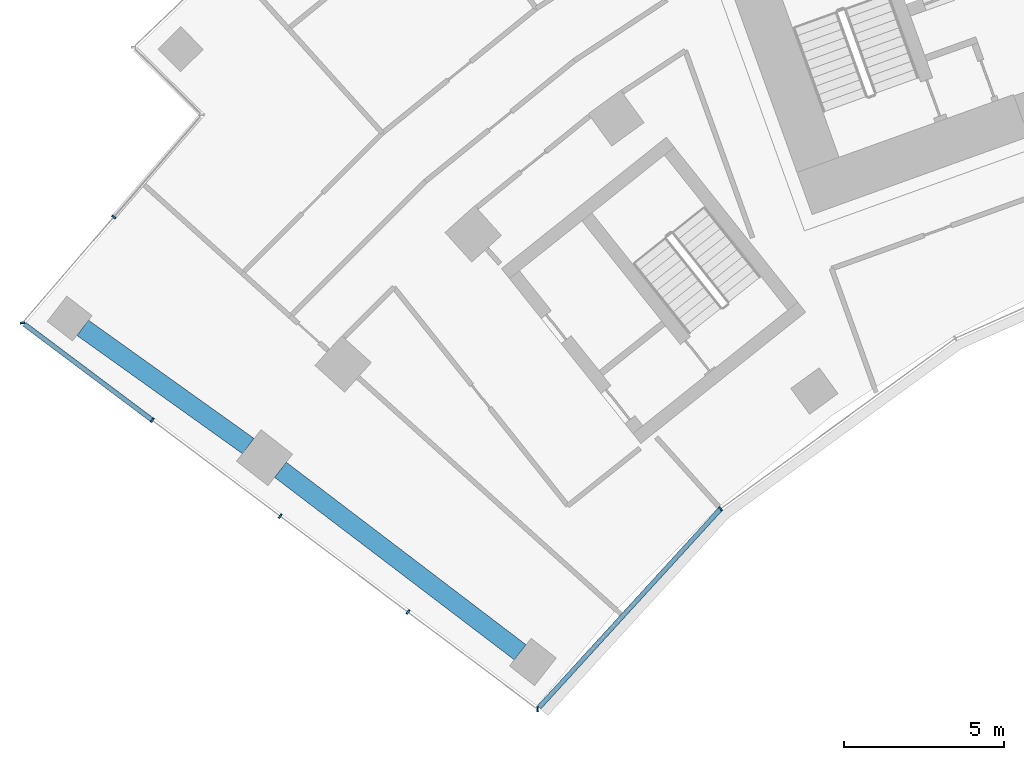
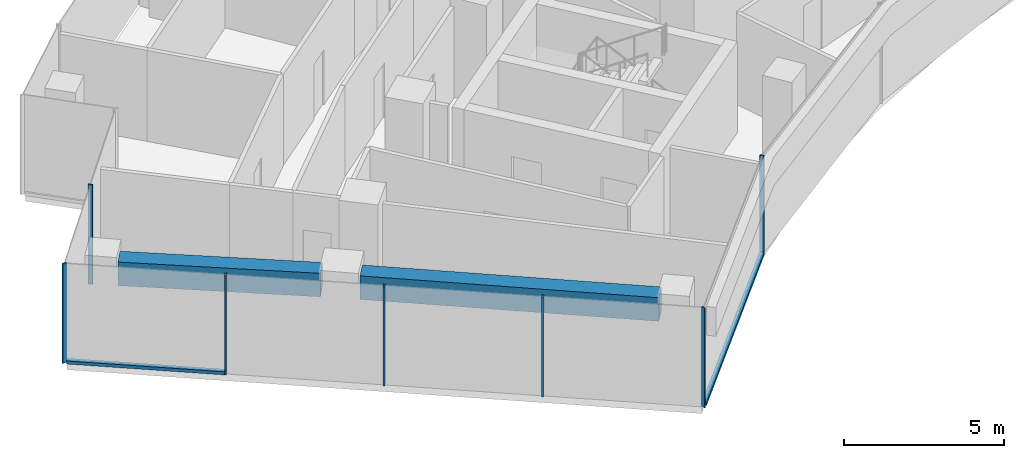
# One storey, part 2 of 20: 9 members, 2 beams, 3 elements without a shape of their own.
"""IFC4 building model written with IfcOpenShell, lengths in metres."""

import ifcopenshell
import ifcopenshell.guid

model = None  # the IFC model being written
_history = None  # IfcOwnerHistory: only IFC2X3 demands one
_inside = {}  # id of a spatial element -> (the spatial element, [elements in it])
_under = {}  # id of a project, library or spatial element -> (it, [spatial elements below it])
_declared = {}  # id of a project -> (the project, [libraries it declares])
_typed = {}  # id of a type object -> (the type object, [elements of that type])
_made_of = {}  # id of a material, layer set ... -> (it, [elements and type objects made of it])


def new_model(schema):
    """Start an empty IFC model of exactly this schema.

    Asked for "IFC4X3", IfcOpenShell would pick the latest addendum, in which some entities
    have other attributes; the version numbers below select the first issue.
    IFC2X3 requires an IfcOwnerHistory on every rooted entity: one is made here for all.
    """
    global model, _history
    if schema == "IFC4X3":
        model = ifcopenshell.file(schema_version=(4, 3, 0, 0))
    else:
        model = ifcopenshell.file(schema=schema)
    _inside.clear()
    _under.clear()
    _declared.clear()
    _typed.clear()
    _made_of.clear()
    _history = None
    if model.schema == "IFC2X3":
        org = make("IfcOrganization", Name="unknown")
        user = make(
            "IfcPersonAndOrganization",
            ThePerson=make("IfcPerson", FamilyName="unknown"),
            TheOrganization=org,
        )
        app = make(
            "IfcApplication",
            ApplicationDeveloper=org,
            Version="unknown",
            ApplicationFullName="unknown",
            ApplicationIdentifier="unknown",
        )
        _history = make(
            "IfcOwnerHistory",
            OwningUser=user,
            OwningApplication=app,
            ChangeAction="ADDED",
            CreationDate=0,
        )
    return model


def make(cls, **values):
    """One entity of the class cls with the attributes given. An attribute that is None is left unset."""
    return model.create_entity(
        cls, **{name: value for name, value in values.items() if value is not None}
    )


def rooted(cls, **values):
    """An entity with a GlobalId (a new one), such as an element, a storey or a relation."""
    return make(cls, GlobalId=ifcopenshell.guid.new(), OwnerHistory=_history, **values)


def si_unit(unit_type, name, prefix=None):
    """IfcSIUnit, for example si_unit("LENGTHUNIT", "METRE", prefix="MILLI")."""
    return make("IfcSIUnit", UnitType=unit_type, Prefix=prefix, Name=name)


def assignment(units):
    """IfcUnitAssignment: the units of a project."""
    return None if units is None else make("IfcUnitAssignment", Units=units)


def point(xyz):
    """IfcCartesianPoint."""
    return None if xyz is None else make("IfcCartesianPoint", Coordinates=xyz)


def direction(xyz):
    """IfcDirection."""
    return None if xyz is None else make("IfcDirection", DirectionRatios=xyz)


def frame(location, z_axis=None, x_axis=None):
    """IfcAxis2Placement3D, a coordinate frame: its origin and axes. An axis left out is left unset."""
    return make(
        "IfcAxis2Placement3D",
        Location=point(location),
        Axis=direction(z_axis),
        RefDirection=direction(x_axis),
    )


def frame_2d(location, x_axis=None):
    """IfcAxis2Placement2D, a coordinate frame in the plane: its origin and x axis."""
    return make(
        "IfcAxis2Placement2D", Location=point(location), RefDirection=direction(x_axis)
    )


def origin():
    """The frame at (0, 0, 0) with its axes left unset."""
    return frame((0.0, 0.0, 0.0))


def origin_2d():
    """The frame at (0, 0) in the plane with its x axis left unset."""
    return frame_2d((0.0, 0.0))


def place(relative_to, where):
    """IfcLocalPlacement: puts the frame where relative to a parent placement (None: the world)."""
    return make(
        "IfcLocalPlacement", PlacementRelTo=relative_to, RelativePlacement=where
    )


def context(
    kind, dimensions, precision=None, world=None, true_north=None, identifier=None
):
    """IfcGeometricRepresentationContext, for example the 3D "Model" context."""
    return make(
        "IfcGeometricRepresentationContext",
        ContextIdentifier=identifier,
        ContextType=kind,
        CoordinateSpaceDimension=dimensions,
        Precision=precision,
        WorldCoordinateSystem=world,
        TrueNorth=true_north,
    )


def subcontext(parent, identifier, kind, view, scale=None):
    """IfcGeometricRepresentationSubContext, for example "Body" below "Model"."""
    return make(
        "IfcGeometricRepresentationSubContext",
        ContextIdentifier=identifier,
        ContextType=kind,
        ParentContext=parent,
        TargetScale=scale,
        TargetView=view,
    )


def project(units=None, contexts=None):
    """IfcProject with its units and contexts."""
    return rooted(
        "IfcProject",
        Name="project",
        RepresentationContexts=contexts,
        UnitsInContext=assignment(units),
    )


def spatial(cls, under=None, at=None, **own):
    """A site, building, storey or space (cls), placed at a placement, below another one or the project."""
    s = rooted(cls, ObjectPlacement=at, **own)
    if under is not None:
        _under.setdefault(under.id(), (under, []))[1].append(s)
    return s


def profile(cls, at=None, kind="AREA", **sizes):
    """A parametric profile (cls). Its sizes go by their IFC names, for example OverallWidth=200.0."""
    return make(cls, ProfileType=kind, Position=at, **sizes)


def rectangle(**sizes):
    """IfcRectangleProfileDef."""
    return profile("IfcRectangleProfileDef", **sizes)


def extrude(swept, where, along, depth):
    """IfcExtrudedAreaSolid: the profile swept, set in the frame where, extruded along a direction by depth."""
    return make(
        "IfcExtrudedAreaSolid",
        SweptArea=swept,
        Position=where,
        ExtrudedDirection=direction(along),
        Depth=depth,
    )


def shape(context_of_items, identifier, shape_type, items):
    """IfcShapeRepresentation: the items that make up one representation, for example the "Body"."""
    return make(
        "IfcShapeRepresentation",
        ContextOfItems=context_of_items,
        RepresentationIdentifier=identifier,
        RepresentationType=shape_type,
        Items=items,
    )


def material(Name=None, Category=None):
    """IfcMaterial."""
    return make("IfcMaterial", Name=Name, Category=Category)


def layer(
    of_material, thickness, ventilated=None, Name=None, Category=None, Priority=None
):
    """IfcMaterialLayer: one layer of a wall or slab, of a material (None: an air gap)."""
    return make(
        "IfcMaterialLayer",
        Material=of_material,
        LayerThickness=thickness,
        IsVentilated=ventilated,
        Name=Name,
        Category=Category,
        Priority=Priority,
    )


def layer_set(layers, Name=None):
    """IfcMaterialLayerSet."""
    return make("IfcMaterialLayerSet", MaterialLayers=layers, LayerSetName=Name)


def material_profile(
    of_material, cross_section, Name=None, Category=None, Priority=None
):
    """IfcMaterialProfile: a cross section and its material."""
    return make(
        "IfcMaterialProfile",
        Name=Name,
        Material=of_material,
        Profile=cross_section,
        Priority=Priority,
        Category=Category,
    )


def profile_set(profiles, Name=None, composite=None):
    """IfcMaterialProfileSet."""
    return make(
        "IfcMaterialProfileSet",
        Name=Name,
        MaterialProfiles=profiles,
        CompositeProfile=composite,
    )


def made_of(thing, what):
    """Note that an element or type object is made of a material, layer set ...; save() writes the relation."""
    if what is not None:
        _made_of.setdefault(what.id(), (what, []))[1].append(thing)
    return thing


def type_object(cls, material=None, **own):
    """A type object (cls), such as IfcWallType, which elements share."""
    return made_of(rooted(cls, **own), material)


def element(
    cls,
    number,
    at=None,
    inside=None,
    cuts=None,
    type_object=None,
    material=None,
    context=None,
    identifier="Body",
    shape_type=None,
    held_by="IfcProductDefinitionShape",
    body=None,
    shapes=None,
    **own,
):
    """One element of the class cls, such as IfcWall. Its Tag is "e" and its number.

    at: its placement. inside: the storey or other place that contains it. cuts: it is an
    opening in that element (IfcRelVoidsElement). A single representation is given by context,
    identifier, shape_type and body (its items); several are given by shapes. held_by: the class
    of the entity that holds the representations. save() writes the other relations.
    """
    e = rooted(cls, Tag="e%d" % number, ObjectPlacement=at, **own)
    if body is not None:
        shapes = [shape(context, identifier, shape_type, body)]
    if shapes is not None:
        e.Representation = make(held_by, Representations=shapes)
    if inside is not None:
        _inside.setdefault(inside.id(), (inside, []))[1].append(e)
    if cuts is not None:
        rooted(
            "IfcRelVoidsElement", RelatingBuildingElement=cuts, RelatedOpeningElement=e
        )
    if type_object is not None:
        _typed.setdefault(type_object.id(), (type_object, []))[1].append(e)
    return made_of(e, material)


def aggregate(whole, parts):
    """IfcRelAggregates: a whole, such as a stair, and the parts it consists of."""
    return rooted("IfcRelAggregates", RelatingObject=whole, RelatedObjects=parts)


def save(model, path):
    """Write the relations noted so far, then the file.

    IfcRelAggregates (storeys below a building ...), IfcRelContainedInSpatialStructure (elements
    in a storey), IfcRelDefinesByType, IfcRelAssociatesMaterial and IfcRelDeclares: one each for
    every whole, place, type object, material and project.
    """
    for whole, parts in _under.values():
        aggregate(whole, parts)
    for where, things in _inside.values():
        rooted(
            "IfcRelContainedInSpatialStructure",
            RelatedElements=things,
            RelatingStructure=where,
        )
    for kind, things in _typed.values():
        rooted("IfcRelDefinesByType", RelatedObjects=things, RelatingType=kind)
    for what, things in _made_of.values():
        rooted("IfcRelAssociatesMaterial", RelatedObjects=things, RelatingMaterial=what)
    for by, libraries in _declared.values():
        rooted("IfcRelDeclares", RelatingContext=by, RelatedDefinitions=libraries)
    model.write(path)


model = new_model("IFC4")

# Units and contexts
model_context = context("Model", 3, precision=1e-05, world=origin(), true_north=direction((0.0, 1.0)))
body_context = subcontext(model_context, "Body", "Model", "MODEL_VIEW")
ifc_project = project(units=[si_unit("LENGTHUNIT", "METRE"), si_unit("AREAUNIT", "SQUARE_METRE"), si_unit("VOLUMEUNIT", "CUBIC_METRE"), si_unit("PLANEANGLEUNIT", "RADIAN"), si_unit("MASSUNIT", "GRAM", prefix="KILO")], contexts=[model_context])

# Site, building, storey
site_placement = place(None, origin())
site = spatial("IfcSite", under=ifc_project, at=site_placement, CompositionType="ELEMENT")
building_placement = place(site_placement, origin())
building = spatial("IfcBuilding", under=site, at=building_placement, Name="Stone Belt Terrace Tower", CompositionType="ELEMENT")
storey_placement = place(building_placement, frame((0.0, 0.0, 185.800048828125)))
storey = spatial("IfcBuildingStorey", under=building, at=storey_placement, Name="L45", CompositionType="ELEMENT", Elevation=185.800048828125)

# Curtain wall, members
ifc_material_1 = material(Name="Aluminium 6063-T6 anodised frame", Category="aluminium")
ifc_layer_1 = layer(ifc_material_1, 0.14990234375)
ifc_layer_set_1 = layer_set([ifc_layer_1], Name="CW-B unitised concave-face curtain wall")
curtain_wall_type_1 = type_object("IfcCurtainWallType", Name="CW-B unitised concave-face curtain wall", PredefinedType="NOTDEFINED", material=ifc_layer_set_1)
curtain_wall_1_placement = place(storey_placement, origin())
curtain_wall_1 = element("IfcCurtainWall", 1, at=curtain_wall_1_placement, inside=storey, type_object=curtain_wall_type_1, Name="CW-B concave face L45", PredefinedType="NOTDEFINED")
ifc_material_profile_1 = material_profile(ifc_material_1, rectangle(XDim=0.14990234375, YDim=0.050048828125, at=origin_2d()), Name="Aluminium 6063-T6 50x150")
ifc_profile_set_1 = profile_set([ifc_material_profile_1], Name="Aluminium 6063-T6 anodised frame")
member_type_1 = type_object("IfcMemberType", Name="CW-B mullion 50 x 150", PredefinedType="MULLION", material=ifc_profile_set_1)
member_1_placement = place(storey_placement, frame((-34.7900390625, 26.0, 0.0), z_axis=(0.0, 0.0, 1.0), x_axis=(-0.093180581986, 0.995649224949, 0.0)))
member_1 = element("IfcMember", 2, at=member_1_placement, type_object=member_type_1, Name="CW-B mullion 1", PredefinedType="MULLION", context=body_context, shape_type="SweptSolid", body=[
    extrude(rectangle(XDim=0.14990234375, YDim=0.050048828125, at=origin_2d()), origin(), (0.0, 0.0, 1.0), 3.800048828125),
])
member_2_placement = place(storey_placement, frame((-29.056884765625, 32.2705078125, 0.0), z_axis=(0.0, 0.0, 1.0), x_axis=(-0.666300886777, 0.745682994496, 0.0)))
member_2 = element("IfcMember", 3, at=member_2_placement, type_object=member_type_1, Name="CW-B mullion 2", PredefinedType="MULLION", context=body_context, shape_type="SweptSolid", body=[
    extrude(rectangle(XDim=0.14990234375, YDim=0.050048828125, at=origin_2d()), origin(), (0.0, 0.0, 1.0), 3.800048828125),
])
ifc_material_profile_2 = material_profile(ifc_material_1, rectangle(XDim=0.14990234375, YDim=0.1201171875, at=origin_2d()), Name="Aluminium 6063-T6 150x120")
ifc_profile_set_2 = profile_set([ifc_material_profile_2], Name="Aluminium 6063-T6 anodised frame")
member_type_2 = type_object("IfcMemberType", Name="CW-B transom 120 x 150", PredefinedType="USERDEFINED", material=ifc_profile_set_2)
member_3_placement = place(storey_placement, frame((-34.743408203125, 26.05078125, 0.06005859375), z_axis=(0.674757432231, 0.738039570517, 0.0), x_axis=(-0.738039570517, 0.674757432231, 0.0)))
member_3 = element("IfcMember", 4, at=member_3_placement, type_object=member_type_2, Name="CW-B transom 1.1", ObjectType="TRANSOM", PredefinedType="USERDEFINED", context=body_context, shape_type="SweptSolid", body=[
    extrude(rectangle(XDim=0.14990234375, YDim=0.1201171875, at=origin_2d()), origin(), (0.0, 0.0, 1.0), 8.39501953125),
])
aggregate(curtain_wall_1, [member_1, member_2, member_3])

# Curtain wall, member
ifc_layer_2 = layer(ifc_material_1, 0.14990234375)
ifc_layer_set_2 = layer_set([ifc_layer_2], Name="CW-C stick curtain wall, horn ends and notches")
curtain_wall_type_2 = type_object("IfcCurtainWallType", Name="CW-C stick curtain wall, horn ends and notches", PredefinedType="NOTDEFINED", material=ifc_layer_set_2)
curtain_wall_2_placement = place(storey_placement, origin())
curtain_wall_2 = element("IfcCurtainWall", 5, at=curtain_wall_2_placement, inside=storey, type_object=curtain_wall_type_2, Name="CW-C notch face L45", PredefinedType="NOTDEFINED")
ifc_material_profile_3 = material_profile(ifc_material_1, rectangle(XDim=0.14990234375, YDim=0.06005859375, at=origin_2d()), Name="Aluminium 6063-T6 60x150")
ifc_profile_set_3 = profile_set([ifc_material_profile_3], Name="Aluminium 6063-T6 anodised frame")
member_type_3 = type_object("IfcMemberType", Name="CW-C mullion 60 x 150", PredefinedType="MULLION", material=ifc_profile_set_3)
member_4_placement = place(storey_placement, frame((-48.05322265625, 41.40283203125, 0.0), z_axis=(0.0, 0.0, 1.0), x_axis=(0.757583847343, -0.652737860281, 0.0)))
member_4 = element("IfcMember", 6, at=member_4_placement, type_object=member_type_3, Name="CW-C mullion 2", PredefinedType="MULLION", context=body_context, shape_type="SweptSolid", body=[
    extrude(rectangle(XDim=0.14990234375, YDim=0.06005859375, at=origin_2d()), origin(), (0.0, 0.0, 1.0), 3.800048828125),
])
aggregate(curtain_wall_2, [member_4])

# Curtain wall, members
curtain_wall_3_placement = place(storey_placement, origin())
curtain_wall_3 = element("IfcCurtainWall", 7, at=curtain_wall_3_placement, inside=storey, type_object=curtain_wall_type_2, Name="CW-C end face L45", PredefinedType="NOTDEFINED")
member_5_placement = place(storey_placement, frame((-50.908447265625, 38.08935546875, 0.0), z_axis=(0.0, 0.0, 1.0), x_axis=(0.994169356535, 0.107829914807, 0.0)))
member_5 = element("IfcMember", 8, at=member_5_placement, type_object=member_type_3, Name="CW-C mullion 1", PredefinedType="MULLION", context=body_context, shape_type="SweptSolid", body=[
    extrude(rectangle(XDim=0.14990234375, YDim=0.06005859375, at=origin_2d()), origin(), (0.0, 0.0, 1.0), 3.800048828125),
])
member_6_placement = place(storey_placement, frame((-46.84423828125, 35.041015625, 0.0), z_axis=(0.0, 0.0, 1.0), x_axis=(0.600017992436, 0.799986505357, 0.0)))
member_6 = element("IfcMember", 9, at=member_6_placement, type_object=member_type_3, Name="CW-C mullion 2", PredefinedType="MULLION", context=body_context, shape_type="SweptSolid", body=[
    extrude(rectangle(XDim=0.14990234375, YDim=0.06005859375, at=origin_2d()), origin(), (0.0, 0.0, 1.0), 3.800048828125),
])
member_7_placement = place(storey_placement, frame((-42.84423828125, 32.041015625, 0.0), z_axis=(0.0, 0.0, 1.0), x_axis=(0.600017992436, 0.799986505357, 0.0)))
member_7 = element("IfcMember", 10, at=member_7_placement, type_object=member_type_3, Name="CW-C mullion 3", PredefinedType="MULLION", context=body_context, shape_type="SweptSolid", body=[
    extrude(rectangle(XDim=0.14990234375, YDim=0.06005859375, at=origin_2d()), origin(), (0.0, 0.0, 1.0), 3.800048828125),
])
member_8_placement = place(storey_placement, frame((-38.84423828125, 29.040771484375, 0.0), z_axis=(0.0, 0.0, 1.0), x_axis=(0.600017992436, 0.799986505357, 0.0)))
member_8 = element("IfcMember", 11, at=member_8_placement, type_object=member_type_3, Name="CW-C mullion 4", PredefinedType="MULLION", context=body_context, shape_type="SweptSolid", body=[
    extrude(rectangle(XDim=0.14990234375, YDim=0.06005859375, at=origin_2d()), origin(), (0.0, 0.0, 1.0), 3.800048828125),
])
ifc_material_profile_4 = material_profile(ifc_material_1, rectangle(XDim=0.14990234375, YDim=0.1201171875, at=origin_2d()), Name="Aluminium 6063-T6 150x120")
ifc_profile_set_4 = profile_set([ifc_material_profile_4], Name="Aluminium 6063-T6 anodised frame")
member_type_4 = type_object("IfcMemberType", Name="CW-C transom 120 x 150", PredefinedType="USERDEFINED", material=ifc_profile_set_4)
member_9_placement = place(storey_placement, frame((-50.84814453125, 38.044189453125, 0.06005859375), z_axis=(0.799988222323, -0.600015703248, 0.0), x_axis=(0.600015703248, 0.799988222323, 0.0)))
member_9 = element("IfcMember", 12, at=member_9_placement, type_object=member_type_4, Name="CW-C transom 1.1", ObjectType="TRANSOM", PredefinedType="USERDEFINED", context=body_context, shape_type="SweptSolid", body=[
    extrude(rectangle(XDim=0.14990234375, YDim=0.1201171875, at=origin_2d()), origin(), (0.0, 0.0, 1.0), 4.97509765625),
])
aggregate(curtain_wall_3, [member_5, member_6, member_7, member_8, member_9])

# Beams
ifc_material_2 = material(Name="Concrete B60", Category="concrete")
ifc_material_profile_5 = material_profile(ifc_material_2, rectangle(XDim=0.60009765625, YDim=0.89990234375, at=origin_2d()), Name="RC 600x900")
ifc_profile_set_5 = profile_set([ifc_material_profile_5], Name="Concrete B60")
beam_type = type_object("IfcBeamType", Name="Edge beam RC 600x900 B60", PredefinedType="SPANDREL", material=ifc_profile_set_5)
beam_1_placement = place(storey_placement, frame((-35.33203125, 27.779541015625, 3.030029296875), z_axis=(-0.795702028976, 0.605688270552, 0.0), x_axis=(-0.605688270552, -0.795702028976, 0.0)))
element("IfcBeam", 13, at=beam_1_placement, inside=storey, type_object=beam_type, Name="Edge beam L45 A P to Q", PredefinedType="SPANDREL", context=body_context, shape_type="SweptSolid", body=[
    extrude(rectangle(XDim=0.60009765625, YDim=0.89990234375, at=origin_2d()), origin(), (0.0, 0.0, 1.0), 9.430908203125),
])
beam_2_placement = place(storey_placement, frame((-43.842529296875, 34.23388671875, 3.030029296875), z_axis=(-0.813774908454, 0.581180177201, 0.0), x_axis=(-0.581180177201, -0.813774908454, 0.0)))
element("IfcBeam", 14, at=beam_2_placement, inside=storey, type_object=beam_type, Name="Edge beam L45 A Q to R", PredefinedType="SPANDREL", context=body_context, shape_type="SweptSolid", body=[
    extrude(rectangle(XDim=0.60009765625, YDim=0.89990234375, at=origin_2d()), origin(), (0.0, 0.0, 1.0), 6.369140625),
])

save(model, "model.ifc")
